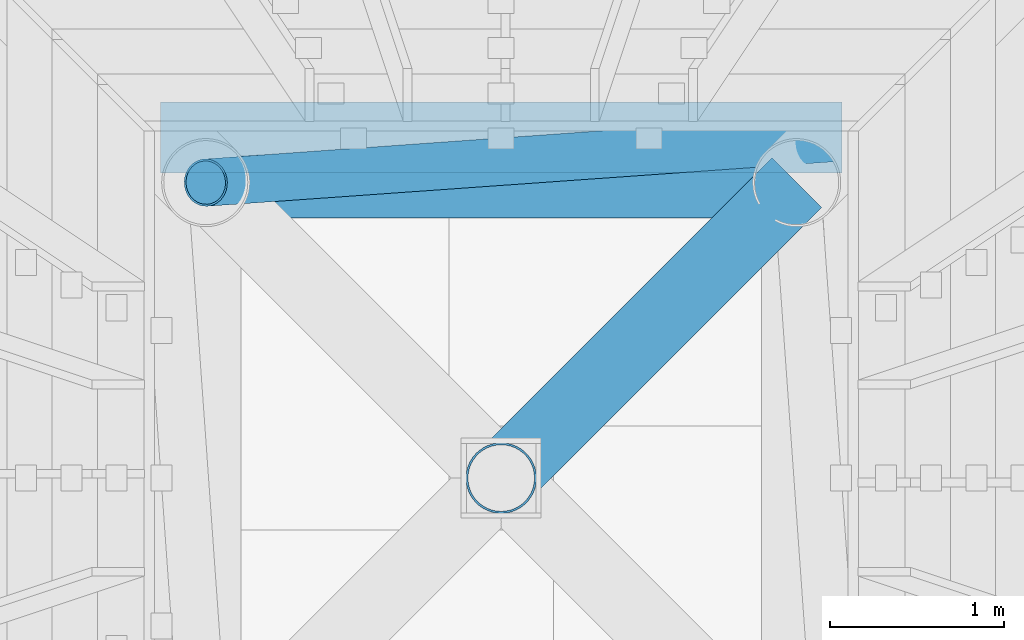
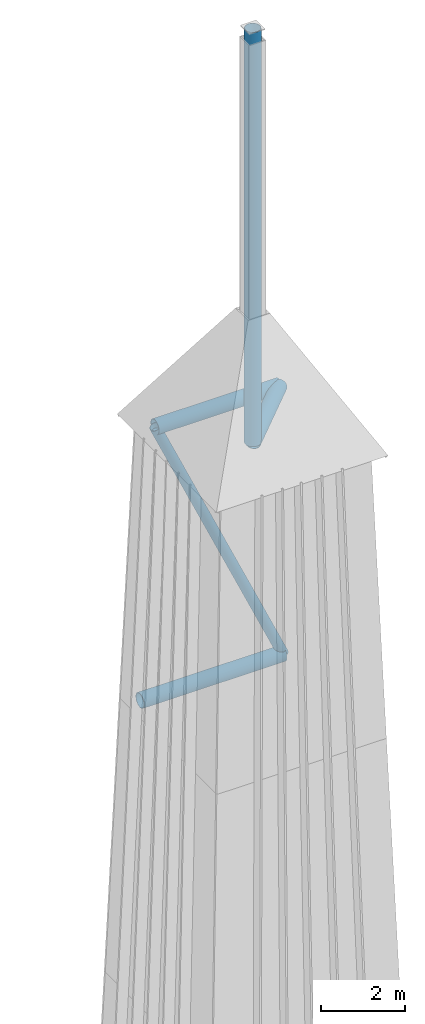
# One storey, part 2 of 8: 5 members.
"""IFC4 building model written with IfcOpenShell, lengths in metres."""

from ifc_helpers import new_model, si_unit, direction, frame, origin, origin_2d, place, context, subcontext, project, spatial, hollow_circle, extrude, material, material_profile, profile_set, type_object, element, save


model = new_model("IFC4")

# Units and contexts
model_context = context("Model", 3, precision=1e-05, world=origin(), true_north=direction((0.0, 1.0)))
body_context = subcontext(model_context, "Body", "Model", "MODEL_VIEW")
ifc_project = project(units=[si_unit("LENGTHUNIT", "METRE"), si_unit("AREAUNIT", "SQUARE_METRE"), si_unit("VOLUMEUNIT", "CUBIC_METRE"), si_unit("PLANEANGLEUNIT", "RADIAN"), si_unit("MASSUNIT", "GRAM", prefix="KILO")], contexts=[model_context])

# Site, building, storey
site_placement = place(None, origin())
site = spatial("IfcSite", under=ifc_project, at=site_placement, CompositionType="ELEMENT")
building_placement = place(site_placement, origin())
building = spatial("IfcBuilding", under=site, at=building_placement, Name="Loomwork Tower", CompositionType="ELEMENT")
storey_placement = place(building_placement, frame((0.0, 0.0, 279.800048828125)))
storey = spatial("IfcBuildingStorey", under=building, at=storey_placement, Name="RF", CompositionType="ELEMENT", Elevation=279.800048828125)

# Members
ifc_material_1 = material(Name="Steel ASTM A500 Grade C", Category="steel")
ifc_material_profile_1 = material_profile(ifc_material_1, hollow_circle(Radius=0.136474609375, WallThickness=0.01171875, at=origin_2d()), Name="HSS10.750x0.500")
ifc_profile_set_1 = profile_set([ifc_material_profile_1], Name="Steel ASTM A500 Grade C")
member_type_1 = type_object("IfcMemberType", Name="CROWN FRAME SPIRE BRACE HSS10.750x0.500", PredefinedType="BRACE", material=ifc_profile_set_1)
member_1_placement = place(storey_placement, frame((24.4599609375, 19.9599609375, 32.0), z_axis=(-0.415838531592, -0.0295422611, 0.908958508653), x_axis=(0.070864023346, -0.997485984962, 0.0)))
element("IfcMember", 1, at=member_1_placement, inside=storey, type_object=member_type_1, Name="Spire brace 32-40 m side 3", PredefinedType="BRACE", context=body_context, shape_type="SweptSolid", body=[
    extrude(hollow_circle(Radius=0.136474609375, WallThickness=0.01171875, at=origin_2d()), origin(), (0.0, 0.0, 1.0), 8.80126953125),
])
ifc_material_2 = material(Name="Steel ASTM A500 Grade C", Category="steel")
ifc_material_profile_2 = material_profile(ifc_material_2, hollow_circle(Radius=0.203125, WallThickness=0.01171875, at=origin_2d()), Name="HSS16.000x0.500")
ifc_profile_set_2 = profile_set([ifc_material_profile_2], Name="Steel ASTM A500 Grade C")
member_type_2 = type_object("IfcMemberType", Name="CROWN FRAME SPIRE MAST HSS16.000x0.500", PredefinedType="POST", material=ifc_profile_set_2)
member_2_placement = place(storey_placement, frame((22.5, 18.0, 40.0), z_axis=(0.0, 0.0, 1.0), x_axis=(1.0, 0.0, 0.0)))
element("IfcMember", 2, at=member_2_placement, inside=storey, type_object=member_type_2, Name="Spire mast", PredefinedType="POST", context=body_context, shape_type="SweptSolid", body=[
    extrude(hollow_circle(Radius=0.203125, WallThickness=0.01171875, at=origin_2d()), origin(), (0.0, 0.0, 1.0), 12.0),
])
ifc_material_3 = material(Name="Steel ASTM A500 Grade C", Category="steel")
ifc_material_profile_3 = material_profile(ifc_material_3, hollow_circle(Radius=0.203125, WallThickness=0.01171875, at=origin_2d()), Name="HSS16.000x0.500")
ifc_profile_set_3 = profile_set([ifc_material_profile_3], Name="Steel ASTM A500 Grade C")
member_type_3 = type_object("IfcMemberType", Name="CROWN FRAME SPIRE RING HSS16.000x0.500", PredefinedType="STRUT", material=ifc_profile_set_3)
member_3_placement = place(storey_placement, frame((24.4599609375, 19.9599609375, 32.0), z_axis=(-1.0, 0.0, 0.0), x_axis=(0.0, -1.0, 0.0)))
element("IfcMember", 3, at=member_3_placement, inside=storey, type_object=member_type_3, Name="Spire ring 32 m side 3", PredefinedType="STRUT", context=body_context, shape_type="SweptSolid", body=[
    extrude(hollow_circle(Radius=0.203125, WallThickness=0.01171875, at=origin_2d()), origin(), (0.0, 0.0, 1.0), 3.919921875),
])
member_4_placement = place(storey_placement, frame((24.199951171875, 19.699951171875, 40.0), z_axis=(-1.0, 0.0, 0.0), x_axis=(0.0, -1.0, 0.0)))
element("IfcMember", 4, at=member_4_placement, inside=storey, type_object=member_type_3, Name="Spire ring 40 m side 3", PredefinedType="STRUT", context=body_context, shape_type="SweptSolid", body=[
    extrude(hollow_circle(Radius=0.203125, WallThickness=0.01171875, at=origin_2d()), origin(), (0.0, 0.0, 1.0), 3.39990234375),
])
ifc_material_4 = material(Name="Steel ASTM A500 Grade C", Category="steel")
ifc_material_profile_4 = material_profile(ifc_material_4, hollow_circle(Radius=0.203125, WallThickness=0.01171875, at=origin_2d()), Name="HSS16.000x0.500")
ifc_profile_set_4 = profile_set([ifc_material_profile_4], Name="Steel ASTM A500 Grade C")
member_type_4 = type_object("IfcMemberType", Name="CROWN FRAME SPIRE SEAT STRUT HSS16.000x0.500", PredefinedType="STRUT", material=ifc_profile_set_4)
member_5_placement = place(storey_placement, frame((24.199951171875, 19.699951171875, 40.0), z_axis=(-0.707106781187, -0.707106781187, 0.0), x_axis=(0.707106781187, -0.707106781187, 0.0)))
element("IfcMember", 5, at=member_5_placement, inside=storey, type_object=member_type_4, Name="Spire mast seat strut 3", PredefinedType="STRUT", context=body_context, shape_type="SweptSolid", body=[
    extrude(hollow_circle(Radius=0.203125, WallThickness=0.01171875, at=origin_2d()), origin(), (0.0, 0.0, 1.0), 2.404052734375),
])

save(model, "model.ifc")
